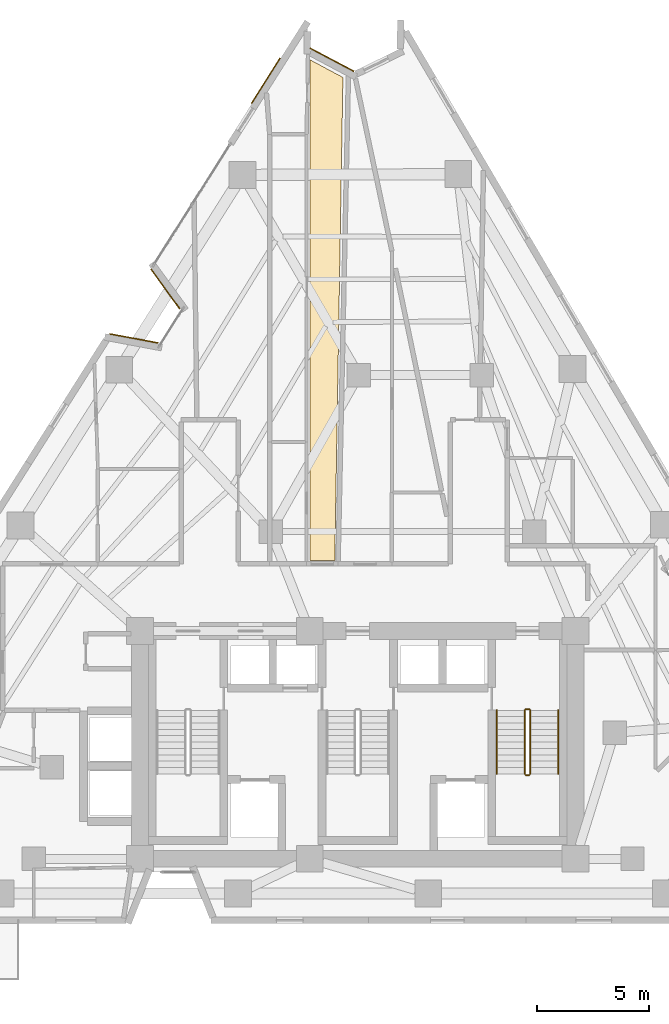
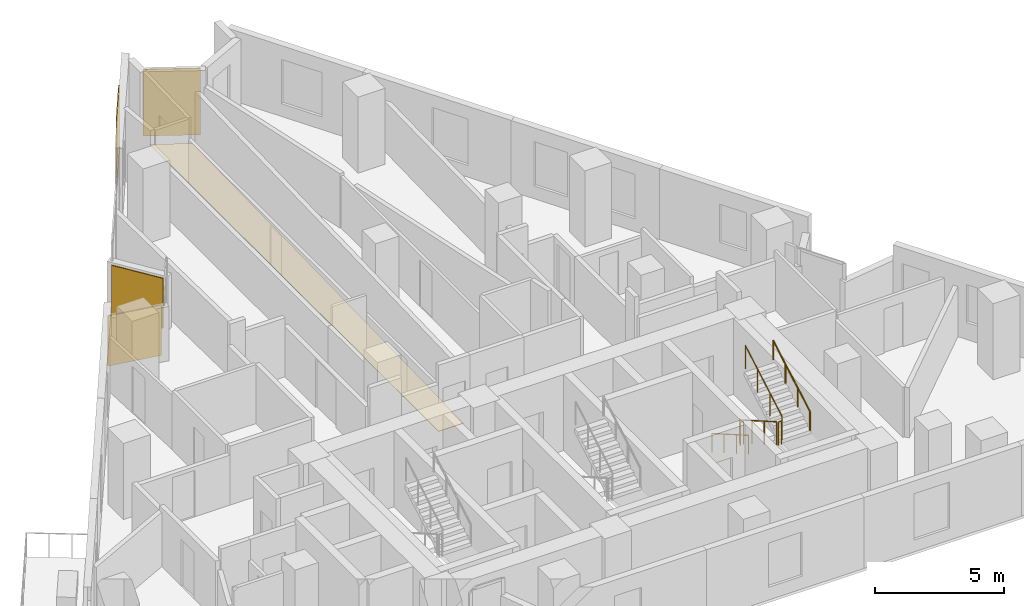
# One storey, part 12 of 12: 6 railings, 5 coverings.
"""IFC4 building model written with IfcOpenShell, lengths in metres."""

from ifc_helpers import new_model, si_unit, direction, frame, origin, origin_2d, place, context, subcontext, project, spatial, polyline, rectangle, circle, outline, extrude, material, layer, layer_set, type_object, element, save


model = new_model("IFC4")

# Units and contexts
model_context = context("Model", 3, precision=1e-05, world=origin(), true_north=direction((0.0, 1.0)))
body_context = subcontext(model_context, "Body", "Model", "MODEL_VIEW")
ifc_project = project(units=[si_unit("LENGTHUNIT", "METRE"), si_unit("AREAUNIT", "SQUARE_METRE"), si_unit("VOLUMEUNIT", "CUBIC_METRE"), si_unit("PLANEANGLEUNIT", "RADIAN"), si_unit("MASSUNIT", "GRAM", prefix="KILO")], contexts=[model_context])

# Site, building, storey
site_placement = place(None, origin())
site = spatial("IfcSite", under=ifc_project, at=site_placement, CompositionType="ELEMENT")
building_placement = place(site_placement, origin())
building = spatial("IfcBuilding", under=site, at=building_placement, Name="Almagre Mirador Tower", CompositionType="ELEMENT")
storey_placement = place(building_placement, frame((0.0, 0.0, 121.199951171875)))
storey = spatial("IfcBuildingStorey", under=building, at=storey_placement, Name="L30", CompositionType="ELEMENT", Elevation=121.199951171875)

# Coverings
ifc_material_1 = material(Name="Almagre terracotta architectural cladding", Category="masonry")
ifc_layer_1 = layer(ifc_material_1, 0.044921875)
ifc_layer_set_1 = layer_set([ifc_layer_1], Name="Almagre terracotta architectural cladding")
covering_type_1 = type_object("IfcCoveringType", Name="COV-CLAD-ALMAGRE", PredefinedType="CLADDING", material=ifc_layer_set_1)
for number, where, z_axis, x_axis, name in (
    (1, (27.28369140625, 27.844970703125, 0.10009765625), (0.0, 0.0, 1.0), (0.98282923775, -0.18451745019, 0.0), "L30 almagre terracotta pier cladding"),
    (2, (28.68798828125, 30.062255859375, 0.10009765625), (0.0, 0.0, 1.0), (-0.58726268939, 0.809396400814, 0.0), "L30 almagre terracotta pier cladding"),
):
    element("IfcCovering", number, at=place(storey_placement, frame(where, z_axis=z_axis, x_axis=x_axis)), inside=storey, type_object=covering_type_1, Name=name, PredefinedType="CLADDING", context=body_context, shape_type="SweptSolid", body=[
        extrude(rectangle(XDim=2.194091796875, YDim=0.044921875, at=origin_2d()), origin(), (0.0, 0.0, 1.0), 2.375),
    ])
covering_1_placement = place(storey_placement, frame((33.18701171875, 39.38232421875, 0.10009765625), z_axis=(0.0, 0.0, 1.0), x_axis=(0.534883337551, 0.844925922913, 0.0)))
element("IfcCovering", 3, at=covering_1_placement, inside=storey, type_object=covering_type_1, Name="L30 almagre terracotta pier cladding", PredefinedType="CLADDING", context=body_context, shape_type="SweptSolid", body=[
    extrude(rectangle(XDim=2.39990234375, YDim=0.044921875, at=origin_2d()), origin(), (0.0, 0.0, 1.0), 3.14990234375),
])
covering_2_placement = place(storey_placement, frame((36.15185546875, 40.3203125, 0.10009765625), z_axis=(0.0, 0.0, 1.0), x_axis=(0.88354502524, -0.468346227031, 0.0)))
element("IfcCovering", 4, at=covering_2_placement, inside=storey, type_object=covering_type_1, Name="L30 almagre terracotta pier cladding", PredefinedType="CLADDING", context=body_context, shape_type="SweptSolid", body=[
    extrude(rectangle(XDim=2.216064453125, YDim=0.044921875, at=origin_2d()), origin(), (0.0, 0.0, 1.0), 3.14990234375),
])
ifc_material_2 = material(Name="Engineered white oak flooring", Category="wood")
ifc_layer_2 = layer(ifc_material_2, 0.01806640625)
ifc_layer_set_2 = layer_set([ifc_layer_2], Name="Engineered white oak flooring")
covering_type_2 = type_object("IfcCoveringType", Name="COV-FLR-OAK-18", PredefinedType="FLOORING", material=ifc_layer_set_2)
covering_3_placement = place(storey_placement, origin())
element("IfcCovering", 5, at=covering_3_placement, inside=storey, type_object=covering_type_2, Name="L30 Unit L30-K Living and Dining Room finish flooring", PredefinedType="FLOORING", context=body_context, shape_type="SweptSolid", body=[
    extrude(outline(polyline([(35.159912109375, 17.89990234375), (35.159912109375, 40.320068359375), (36.637939453125, 39.531005859375), (36.27294921875, 17.89990234375), (35.159912109375, 17.89990234375)])), origin(), (0.0, 0.0, 1.0), 0.01806640625),
])

# Railings
ifc_material_3 = material(Name="Painted galvanized steel", Category="steel")
railing_type_1 = type_object("IfcRailingType", Name="RLG-GRD-1100", PredefinedType="GUARDRAIL", material=ifc_material_3)
railing_1_placement = place(storey_placement, frame((44.77490234375, 11.199951171875, 0.16357421875)))
element("IfcRailing", 6, at=railing_1_placement, inside=storey, type_object=railing_type_1, Name="L30 ST-3 stair guard 1", PredefinedType="GUARDRAIL", context=body_context, shape_type="SweptSolid", body=[
    extrude(circle(Radius=0.02392578125, at=origin_2d()), frame((0.0, 0.0, 1.09619140625), z_axis=(0.0, -0.867194282975, 0.497969954491), x_axis=(1.0, 0.0, 0.0)), (0.0, 0.0, 1.0), 3.286376953125),
    extrude(circle(Radius=0.02099609375, at=origin_2d()), origin(), (0.0, 0.0, 1.0), 1.072021484375),
    extrude(circle(Radius=0.02099609375, at=origin_2d()), frame((0.0, -0.949951171875, 0.54541015625)), (0.0, 0.0, 1.0), 1.072021484375),
    extrude(circle(Radius=0.02099609375, at=origin_2d()), frame((0.0, -1.89990234375, 1.091064453125)), (0.0, 0.0, 1.0), 1.072021484375),
    extrude(circle(Radius=0.02099609375, at=origin_2d()), frame((0.0, -2.849853515625, 1.636474609375)), (0.0, 0.0, 1.0), 1.072021484375),
])
railing_2_placement = place(storey_placement, frame((44.824951171875, 8.300048828125, 1.800048828125)))
element("IfcRailing", 7, at=railing_2_placement, inside=storey, type_object=railing_type_1, Name="L30 ST-3 stair guard 2", PredefinedType="GUARDRAIL", context=body_context, shape_type="SweptSolid", body=[
    extrude(circle(Radius=0.02392578125, at=origin_2d()), frame((0.0, 0.0, 1.09619140625), z_axis=(1.0, 0.0, 0.0), x_axis=(0.0, 1.0, 0.0)), (0.0, 0.0, 1.0), 0.150146484375),
    extrude(circle(Radius=0.02099609375, at=origin_2d()), origin(), (0.0, 0.0, 1.0), 1.072021484375),
    extrude(circle(Radius=0.02099609375, at=origin_2d()), frame((0.150146484375, 0.0, 0.0)), (0.0, 0.0, 1.0), 1.072021484375),
])
railing_3_placement = place(storey_placement, frame((45.02490234375, 8.35009765625, 1.963623046875)))
element("IfcRailing", 8, at=railing_3_placement, inside=storey, type_object=railing_type_1, Name="L30 ST-3 stair guard 3", PredefinedType="GUARDRAIL", context=body_context, shape_type="SweptSolid", body=[
    extrude(circle(Radius=0.02392578125, at=origin_2d()), frame((0.0, 0.0, 1.09619140625), z_axis=(0.0, 0.867194282975, 0.497969954491), x_axis=(-1.0, 0.0, 0.0)), (0.0, 0.0, 1.0), 3.286376953125),
    extrude(circle(Radius=0.02099609375, at=origin_2d()), origin(), (0.0, 0.0, 1.0), 1.072021484375),
    extrude(circle(Radius=0.02099609375, at=origin_2d()), frame((0.0, 0.949951171875, 0.54541015625)), (0.0, 0.0, 1.0), 1.072021484375),
    extrude(circle(Radius=0.02099609375, at=origin_2d()), frame((0.0, 1.89990234375, 1.091064453125)), (0.0, 0.0, 1.0), 1.072021484375),
    extrude(circle(Radius=0.02099609375, at=origin_2d()), frame((0.0, 2.849853515625, 1.636474609375)), (0.0, 0.0, 1.0), 1.072021484375),
])
railing_4_placement = place(storey_placement, frame((44.824951171875, 11.25, 0.0)))
element("IfcRailing", 9, at=railing_4_placement, inside=storey, type_object=railing_type_1, Name="L30 ST-3 stair guard 4", PredefinedType="GUARDRAIL", context=body_context, shape_type="SweptSolid", body=[
    extrude(circle(Radius=0.02392578125, at=origin_2d()), frame((0.0, 0.0, 1.09619140625), z_axis=(1.0, 0.0, 0.0), x_axis=(0.0, 1.0, 0.0)), (0.0, 0.0, 1.0), 0.150146484375),
    extrude(circle(Radius=0.02099609375, at=origin_2d()), origin(), (0.0, 0.0, 1.0), 1.072021484375),
    extrude(circle(Radius=0.02099609375, at=origin_2d()), frame((0.150146484375, 0.0, 0.0)), (0.0, 0.0, 1.0), 1.072021484375),
])
ifc_material_4 = material(Name="Brushed stainless steel", Category="steel")
railing_type_2 = type_object("IfcRailingType", Name="RLG-HND-915", PredefinedType="HANDRAIL", material=ifc_material_4)
railing_5_placement = place(storey_placement, frame((43.52490234375, 11.199951171875, 0.16357421875)))
element("IfcRailing", 10, at=railing_5_placement, inside=storey, type_object=railing_type_2, Name="L30 ST-3 stair handrail 1", PredefinedType="HANDRAIL", context=body_context, shape_type="SweptSolid", body=[
    extrude(circle(Radius=0.02392578125, at=origin_2d()), frame((0.0, 0.0, 0.89111328125), z_axis=(0.0, -0.867194282975, 0.497969954491), x_axis=(1.0, 0.0, 0.0)), (0.0, 0.0, 1.0), 3.286376953125),
    extrude(circle(Radius=0.02099609375, at=origin_2d()), origin(), (0.0, 0.0, 1.0), 0.866943359375),
    extrude(circle(Radius=0.02099609375, at=origin_2d()), frame((0.0, -0.949951171875, 0.54541015625)), (0.0, 0.0, 1.0), 0.866943359375),
    extrude(circle(Radius=0.02099609375, at=origin_2d()), frame((0.0, -1.89990234375, 1.091064453125)), (0.0, 0.0, 1.0), 0.866943359375),
    extrude(circle(Radius=0.02099609375, at=origin_2d()), frame((0.0, -2.849853515625, 1.636474609375)), (0.0, 0.0, 1.0), 0.866943359375),
])
railing_6_placement = place(storey_placement, frame((46.27490234375, 8.35009765625, 1.963623046875)))
element("IfcRailing", 11, at=railing_6_placement, inside=storey, type_object=railing_type_2, Name="L30 ST-3 stair handrail 2", PredefinedType="HANDRAIL", context=body_context, shape_type="SweptSolid", body=[
    extrude(circle(Radius=0.02392578125, at=origin_2d()), frame((0.0, 0.0, 0.89111328125), z_axis=(0.0, 0.867194282975, 0.497969954491), x_axis=(-1.0, 0.0, 0.0)), (0.0, 0.0, 1.0), 3.286376953125),
    extrude(circle(Radius=0.02099609375, at=origin_2d()), origin(), (0.0, 0.0, 1.0), 0.866943359375),
    extrude(circle(Radius=0.02099609375, at=origin_2d()), frame((0.0, 0.949951171875, 0.54541015625)), (0.0, 0.0, 1.0), 0.866943359375),
    extrude(circle(Radius=0.02099609375, at=origin_2d()), frame((0.0, 1.89990234375, 1.091064453125)), (0.0, 0.0, 1.0), 0.866943359375),
    extrude(circle(Radius=0.02099609375, at=origin_2d()), frame((0.0, 2.849853515625, 1.636474609375)), (0.0, 0.0, 1.0), 0.866943359375),
])

save(model, "model.ifc")
